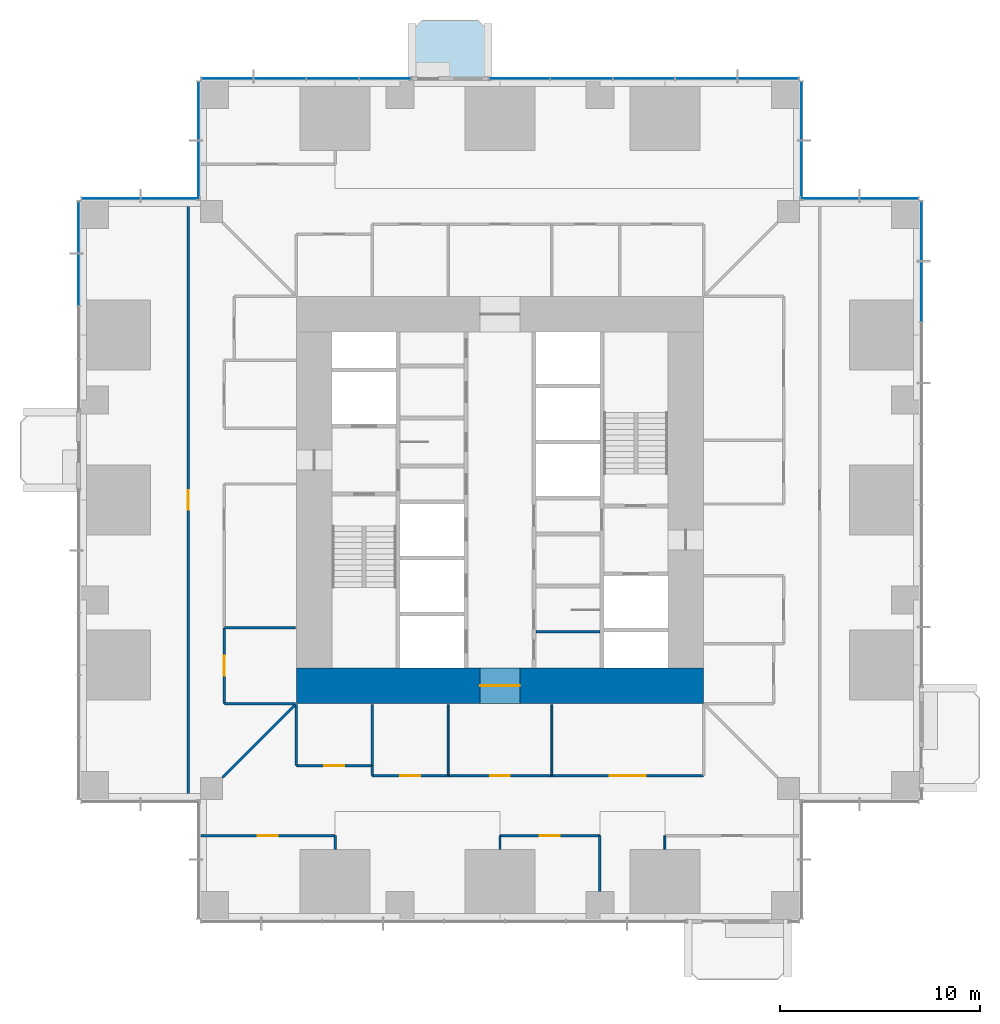
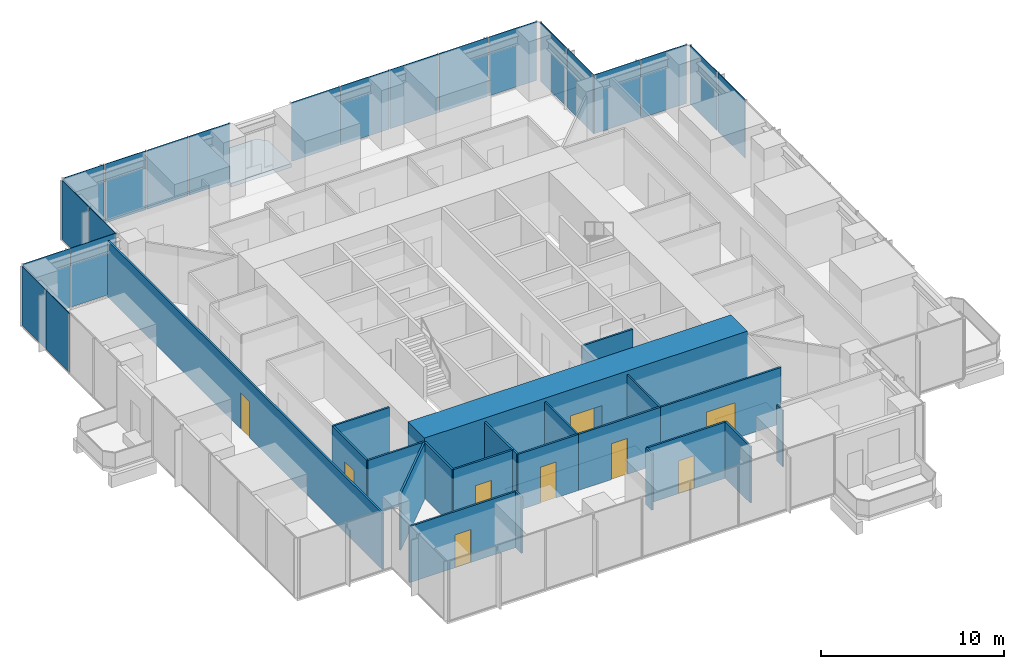
# One storey, part 9 of 15: 22 walls, 21 plates, 9 doors, 1 slab, 9 openings, 8 elements without a shape of their own.
"""IFC4 building model written with IfcOpenShell, lengths in metres."""

from ifc_helpers import new_model, si_unit, direction, frame, frame_2d, origin, origin_2d, place, context, subcontext, project, spatial, polyline, rectangle, outline, extrude, material, layer, layer_set, type_object, element, fill, aggregate, save


model = new_model("IFC4")

# Units and contexts
model_context = context("Model", 3, precision=1e-05, world=origin(), true_north=direction((0.0, 1.0)))
body_context = subcontext(model_context, "Body", "Model", "MODEL_VIEW")
ifc_project = project(units=[si_unit("LENGTHUNIT", "METRE"), si_unit("AREAUNIT", "SQUARE_METRE"), si_unit("VOLUMEUNIT", "CUBIC_METRE"), si_unit("PLANEANGLEUNIT", "RADIAN"), si_unit("MASSUNIT", "GRAM", prefix="KILO")], contexts=[model_context])

# Site, building, storey
site_placement = place(None, origin())
site = spatial("IfcSite", under=ifc_project, at=site_placement, CompositionType="ELEMENT")
building_placement = place(site_placement, origin())
building = spatial("IfcBuilding", under=site, at=building_placement, Name="Svetlomir Tower", CompositionType="ELEMENT")
storey_placement = place(building_placement, frame((0.0, 0.0, 26.5)))
storey = spatial("IfcBuildingStorey", under=building, at=storey_placement, Name="L05", CompositionType="ELEMENT", Elevation=26.5)

# Slab
ifc_material_1 = material(Name="Concrete C60/75", Category="concrete")
ifc_layer_1 = layer(ifc_material_1, 0.25)
ifc_layer_set_1 = layer_set([ifc_layer_1], Name="Concrete C60/75")
slab_type = type_object("IfcSlabType", Name="BALCONY SLAB 250", PredefinedType="FLOOR", material=ifc_layer_set_1)
slab_placement = place(storey_placement, frame((0.0, 0.0, -0.25)))
element("IfcSlab", 1, at=slab_placement, inside=storey, type_object=slab_type, Name="L05 N planted balcony", PredefinedType="FLOOR", context=body_context, shape_type="SweptSolid", body=[
    extrude(outline(polyline([(16.60009765625, 42.0), (20.39990234375, 42.0), (20.39990234375, 44.5), (19.89990234375, 45.0), (17.10009765625, 45.0), (16.60009765625, 44.5), (16.60009765625, 42.0)])), origin(), (0.0, 0.0, 1.0), 0.25),
])

# Curtain wall, plates
ifc_material_2 = material(Name="Bronze anodised aluminium curtain wall", Category="aluminium")
curtain_wall_type = type_object("IfcCurtainWallType", Name="CURTAIN WALL CW1 TOWER OFFICE", PredefinedType="NOTDEFINED", material=ifc_material_2)
curtain_wall_1_placement = place(storey_placement, origin())
curtain_wall_1 = element("IfcCurtainWall", 2, at=curtain_wall_1_placement, inside=storey, type_object=curtain_wall_type, Name="Curtain wall CW1 L05", PredefinedType="NOTDEFINED")
ifc_material_3 = material(Name="Tinted double glazed unit", Category="glass")
ifc_layer_2 = layer(ifc_material_3, 0.031982421875)
ifc_layer_set_2 = layer_set([ifc_layer_2], Name="Tinted double glazed unit")
plate_type = type_object("IfcPlateType", Name="CW1 GLAZED PANEL 32", PredefinedType="CURTAIN_PANEL", material=ifc_layer_set_2)
plate_1_placement = place(storey_placement, frame((42.10009765625, 31.425048828125, 0.06494140625), z_axis=(0.0, 0.0, 1.0), x_axis=(0.0, 1.0, 0.0)))
plate_1 = element("IfcPlate", 3, at=plate_1_placement, type_object=plate_type, Name="CW1 panel 7.1", PredefinedType="CURTAIN_PANEL", context=body_context, shape_type="SweptSolid", body=[
    extrude(rectangle(XDim=2.985107421875, YDim=0.031982421875, at=origin_2d()), origin(), (0.0, 0.0, 1.0), 3.93505859375),
])
plate_2_placement = place(storey_placement, frame((42.10009765625, 34.458740234375, 0.06494140625), z_axis=(0.0, 0.0, 1.0), x_axis=(0.0, 1.0, 0.0)))
plate_2 = element("IfcPlate", 4, at=plate_2_placement, type_object=plate_type, Name="CW1 panel 8.1", PredefinedType="CURTAIN_PANEL", context=body_context, shape_type="SweptSolid", body=[
    extrude(rectangle(XDim=2.952392578125, YDim=0.031982421875, at=origin_2d()), origin(), (0.0, 0.0, 1.0), 3.93505859375),
])
aggregate(curtain_wall_1, [plate_1, plate_2])

curtain_wall_2_placement = place(storey_placement, origin())
curtain_wall_2 = element("IfcCurtainWall", 5, at=curtain_wall_2_placement, inside=storey, type_object=curtain_wall_type, Name="Curtain wall CW1 L05", PredefinedType="NOTDEFINED")
plate_3_placement = place(storey_placement, frame((40.483642578125, 36.10009765625, 0.06494140625), z_axis=(0.0, 0.0, 1.0), x_axis=(-1.0, 0.0, 0.0)))
plate_3 = element("IfcPlate", 6, at=plate_3_placement, type_object=plate_type, Name="CW1 panel 1.1", PredefinedType="CURTAIN_PANEL", context=body_context, shape_type="SweptSolid", body=[
    extrude(rectangle(XDim=2.902587890625, YDim=0.031982421875, at=origin_2d()), origin(), (0.0, 0.0, 1.0), 3.93505859375),
])
plate_4_placement = place(storey_placement, frame((37.516357421875, 36.10009765625, 0.06494140625), z_axis=(0.0, 0.0, 1.0), x_axis=(-1.0, 0.0, 0.0)))
plate_4 = element("IfcPlate", 7, at=plate_4_placement, type_object=plate_type, Name="CW1 panel 2.1", PredefinedType="CURTAIN_PANEL", context=body_context, shape_type="SweptSolid", body=[
    extrude(rectangle(XDim=2.902587890625, YDim=0.031982421875, at=origin_2d()), origin(), (0.0, 0.0, 1.0), 3.93505859375),
])
aggregate(curtain_wall_2, [plate_3, plate_4])

curtain_wall_3_placement = place(storey_placement, origin())
curtain_wall_3 = element("IfcCurtainWall", 8, at=curtain_wall_3_placement, inside=storey, type_object=curtain_wall_type, Name="Curtain wall CW1 L05", PredefinedType="NOTDEFINED")
plate_5_placement = place(storey_placement, frame((36.10009765625, 37.516357421875, 0.06494140625), z_axis=(0.0, 0.0, 1.0), x_axis=(0.0, 1.0, 0.0)))
plate_5 = element("IfcPlate", 9, at=plate_5_placement, type_object=plate_type, Name="CW1 panel 1.1", PredefinedType="CURTAIN_PANEL", context=body_context, shape_type="SweptSolid", body=[
    extrude(rectangle(XDim=2.902587890625, YDim=0.031982421875, at=origin_2d()), origin(), (0.0, 0.0, 1.0), 3.93505859375),
])
plate_6_placement = place(storey_placement, frame((36.10009765625, 40.483642578125, 0.06494140625), z_axis=(0.0, 0.0, 1.0), x_axis=(0.0, 1.0, 0.0)))
plate_6 = element("IfcPlate", 10, at=plate_6_placement, type_object=plate_type, Name="CW1 panel 2.1", PredefinedType="CURTAIN_PANEL", context=body_context, shape_type="SweptSolid", body=[
    extrude(rectangle(XDim=2.902587890625, YDim=0.031982421875, at=origin_2d()), origin(), (0.0, 0.0, 1.0), 3.93505859375),
])
aggregate(curtain_wall_3, [plate_5, plate_6])

curtain_wall_4_placement = place(storey_placement, origin())
curtain_wall_4 = element("IfcCurtainWall", 11, at=curtain_wall_4_placement, inside=storey, type_object=curtain_wall_type, Name="Curtain wall CW1 L05", PredefinedType="NOTDEFINED")
plate_7_placement = place(storey_placement, frame((34.423828125, 42.10009765625, 0.06494140625), z_axis=(0.0, 0.0, 1.0), x_axis=(-1.0, 0.0, 0.0)))
plate_7 = element("IfcPlate", 12, at=plate_7_placement, type_object=plate_type, Name="CW1 panel 1.1", PredefinedType="CURTAIN_PANEL", context=body_context, shape_type="SweptSolid", body=[
    extrude(rectangle(XDim=3.0224609375, YDim=0.031982421875, at=origin_2d()), origin(), (0.0, 0.0, 1.0), 3.93505859375),
])
plate_8_placement = place(storey_placement, frame((31.320068359375, 42.10009765625, 0.06494140625), z_axis=(0.0, 0.0, 1.0), x_axis=(-1.0, 0.0, 0.0)))
plate_8 = element("IfcPlate", 13, at=plate_8_placement, type_object=plate_type, Name="CW1 panel 2.1", PredefinedType="CURTAIN_PANEL", context=body_context, shape_type="SweptSolid", body=[
    extrude(rectangle(XDim=3.054931640625, YDim=0.031982421875, at=origin_2d()), origin(), (0.0, 0.0, 1.0), 3.93505859375),
])
plate_9_placement = place(storey_placement, frame((28.199951171875, 42.10009765625, 0.06494140625), z_axis=(0.0, 0.0, 1.0), x_axis=(-1.0, 0.0, 0.0)))
plate_9 = element("IfcPlate", 14, at=plate_9_placement, type_object=plate_type, Name="CW1 panel 3.1", PredefinedType="CURTAIN_PANEL", context=body_context, shape_type="SweptSolid", body=[
    extrude(rectangle(XDim=3.054931640625, YDim=0.031982421875, at=origin_2d()), origin(), (0.0, 0.0, 1.0), 3.93505859375),
])
plate_10_placement = place(storey_placement, frame((25.080078125, 42.10009765625, 0.06494140625), z_axis=(0.0, 0.0, 1.0), x_axis=(-1.0, 0.0, 0.0)))
plate_10 = element("IfcPlate", 15, at=plate_10_placement, type_object=plate_type, Name="CW1 panel 4.1", PredefinedType="CURTAIN_PANEL", context=body_context, shape_type="SweptSolid", body=[
    extrude(rectangle(XDim=3.054931640625, YDim=0.031982421875, at=origin_2d()), origin(), (0.0, 0.0, 1.0), 3.93505859375),
])
plate_11_placement = place(storey_placement, frame((21.976318359375, 42.10009765625, 0.06494140625), z_axis=(0.0, 0.0, 1.0), x_axis=(-1.0, 0.0, 0.0)))
plate_11 = element("IfcPlate", 16, at=plate_11_placement, type_object=plate_type, Name="CW1 panel 5.1", PredefinedType="CURTAIN_PANEL", context=body_context, shape_type="SweptSolid", body=[
    extrude(rectangle(XDim=3.0224609375, YDim=0.031982421875, at=origin_2d()), origin(), (0.0, 0.0, 1.0), 3.93505859375),
])
aggregate(curtain_wall_4, [plate_7, plate_8, plate_9, plate_10, plate_11])

curtain_wall_5_placement = place(storey_placement, origin())
curtain_wall_5 = element("IfcCurtainWall", 17, at=curtain_wall_5_placement, inside=storey, type_object=curtain_wall_type, Name="Curtain wall CW1 L05", PredefinedType="NOTDEFINED")
plate_12_placement = place(storey_placement, frame((15.2587890625, 42.10009765625, 0.06494140625), z_axis=(0.0, 0.0, 1.0), x_axis=(-1.0, 0.0, 0.0)))
plate_12 = element("IfcPlate", 18, at=plate_12_placement, type_object=plate_type, Name="CW1 panel 1.1", PredefinedType="CURTAIN_PANEL", context=body_context, shape_type="SweptSolid", body=[
    extrude(rectangle(XDim=2.552490234375, YDim=0.031982421875, at=origin_2d()), origin(), (0.0, 0.0, 1.0), 3.93505859375),
])
plate_13_placement = place(storey_placement, frame((12.625, 42.10009765625, 0.06494140625), z_axis=(0.0, 0.0, 1.0), x_axis=(-1.0, 0.0, 0.0)))
plate_13 = element("IfcPlate", 19, at=plate_13_placement, type_object=plate_type, Name="CW1 panel 2.1", PredefinedType="CURTAIN_PANEL", context=body_context, shape_type="SweptSolid", body=[
    extrude(rectangle(XDim=2.5849609375, YDim=0.031982421875, at=origin_2d()), origin(), (0.0, 0.0, 1.0), 3.93505859375),
])
plate_14_placement = place(storey_placement, frame((9.97509765625, 42.10009765625, 0.06494140625), z_axis=(0.0, 0.0, 1.0), x_axis=(-1.0, 0.0, 0.0)))
plate_14 = element("IfcPlate", 20, at=plate_14_placement, type_object=plate_type, Name="CW1 panel 3.1", PredefinedType="CURTAIN_PANEL", context=body_context, shape_type="SweptSolid", body=[
    extrude(rectangle(XDim=2.5849609375, YDim=0.031982421875, at=origin_2d()), origin(), (0.0, 0.0, 1.0), 3.93505859375),
])
plate_15_placement = place(storey_placement, frame((7.34130859375, 42.10009765625, 0.06494140625), z_axis=(0.0, 0.0, 1.0), x_axis=(-1.0, 0.0, 0.0)))
plate_15 = element("IfcPlate", 21, at=plate_15_placement, type_object=plate_type, Name="CW1 panel 4.1", PredefinedType="CURTAIN_PANEL", context=body_context, shape_type="SweptSolid", body=[
    extrude(rectangle(XDim=2.552490234375, YDim=0.031982421875, at=origin_2d()), origin(), (0.0, 0.0, 1.0), 3.93505859375),
])
aggregate(curtain_wall_5, [plate_12, plate_13, plate_14, plate_15])

curtain_wall_6_placement = place(storey_placement, origin())
curtain_wall_6 = element("IfcCurtainWall", 22, at=curtain_wall_6_placement, inside=storey, type_object=curtain_wall_type, Name="Curtain wall CW1 L05", PredefinedType="NOTDEFINED")
plate_16_placement = place(storey_placement, frame((5.89990234375, 40.483642578125, 0.06494140625), z_axis=(0.0, 0.0, 1.0), x_axis=(0.0, -1.0, 0.0)))
plate_16 = element("IfcPlate", 23, at=plate_16_placement, type_object=plate_type, Name="CW1 panel 1.1", PredefinedType="CURTAIN_PANEL", context=body_context, shape_type="SweptSolid", body=[
    extrude(rectangle(XDim=2.902587890625, YDim=0.031982421875, at=origin_2d()), origin(), (0.0, 0.0, 1.0), 3.93505859375),
])
plate_17_placement = place(storey_placement, frame((5.89990234375, 37.516357421875, 0.06494140625), z_axis=(0.0, 0.0, 1.0), x_axis=(0.0, -1.0, 0.0)))
plate_17 = element("IfcPlate", 24, at=plate_17_placement, type_object=plate_type, Name="CW1 panel 2.1", PredefinedType="CURTAIN_PANEL", context=body_context, shape_type="SweptSolid", body=[
    extrude(rectangle(XDim=2.902587890625, YDim=0.031982421875, at=origin_2d()), origin(), (0.0, 0.0, 1.0), 3.93505859375),
])
aggregate(curtain_wall_6, [plate_16, plate_17])

curtain_wall_7_placement = place(storey_placement, origin())
curtain_wall_7 = element("IfcCurtainWall", 25, at=curtain_wall_7_placement, inside=storey, type_object=curtain_wall_type, Name="Curtain wall CW1 L05", PredefinedType="NOTDEFINED")
plate_18_placement = place(storey_placement, frame((4.483642578125, 36.10009765625, 0.06494140625), z_axis=(0.0, 0.0, 1.0), x_axis=(-1.0, 0.0, 0.0)))
plate_18 = element("IfcPlate", 26, at=plate_18_placement, type_object=plate_type, Name="CW1 panel 1.1", PredefinedType="CURTAIN_PANEL", context=body_context, shape_type="SweptSolid", body=[
    extrude(rectangle(XDim=2.902587890625, YDim=0.031982421875, at=origin_2d()), origin(), (0.0, 0.0, 1.0), 3.93505859375),
])
plate_19_placement = place(storey_placement, frame((1.516357421875, 36.10009765625, 0.06494140625), z_axis=(0.0, 0.0, 1.0), x_axis=(-1.0, 0.0, 0.0)))
plate_19 = element("IfcPlate", 27, at=plate_19_placement, type_object=plate_type, Name="CW1 panel 2.1", PredefinedType="CURTAIN_PANEL", context=body_context, shape_type="SweptSolid", body=[
    extrude(rectangle(XDim=2.902587890625, YDim=0.031982421875, at=origin_2d()), origin(), (0.0, 0.0, 1.0), 3.93505859375),
])
aggregate(curtain_wall_7, [plate_18, plate_19])

curtain_wall_8_placement = place(storey_placement, origin())
curtain_wall_8 = element("IfcCurtainWall", 28, at=curtain_wall_8_placement, inside=storey, type_object=curtain_wall_type, Name="Curtain wall CW1 L05", PredefinedType="NOTDEFINED")
plate_20_placement = place(storey_placement, frame((-0.10009765625, 34.65869140625, 0.06494140625), z_axis=(0.0, 0.0, 1.0), x_axis=(0.0, -1.0, 0.0)))
plate_20 = element("IfcPlate", 29, at=plate_20_placement, type_object=plate_type, Name="CW1 panel 1.1", PredefinedType="CURTAIN_PANEL", context=body_context, shape_type="SweptSolid", body=[
    extrude(rectangle(XDim=2.552490234375, YDim=0.031982421875, at=origin_2d()), origin(), (0.0, 0.0, 1.0), 3.93505859375),
])
plate_21_placement = place(storey_placement, frame((-0.10009765625, 32.02490234375, 0.06494140625), z_axis=(0.0, 0.0, 1.0), x_axis=(0.0, -1.0, 0.0)))
plate_21 = element("IfcPlate", 30, at=plate_21_placement, type_object=plate_type, Name="CW1 panel 2.1", PredefinedType="CURTAIN_PANEL", context=body_context, shape_type="SweptSolid", body=[
    extrude(rectangle(XDim=2.5849609375, YDim=0.031982421875, at=origin_2d()), origin(), (0.0, 0.0, 1.0), 3.93505859375),
])
aggregate(curtain_wall_8, [plate_20, plate_21])

# Wall, opening, door
ifc_material_4 = material(Name="Concrete C60/75", Category="concrete")
ifc_layer_3 = layer(ifc_material_4, 1.800048828125)
ifc_layer_set_3 = layer_set([ifc_layer_3], Name="Concrete C60/75")
wall_type_1 = type_object("IfcWallType", Name="CORE WALL 1800", PredefinedType="SHEAR", material=ifc_layer_set_3)
wall_1_placement = place(storey_placement, frame((10.800048828125, 11.699951171875, -0.050048828125), z_axis=(0.0, 0.0, 1.0), x_axis=(1.0, 0.0, 0.0)))
wall_1 = element("IfcWall", 31, at=wall_1_placement, inside=storey, type_object=wall_type_1, Name="Core wall south L05", PredefinedType="SHEAR", context=body_context, shape_type="SweptSolid", body=[
    extrude(rectangle(XDim=20.39990234375, YDim=1.800048828125, at=frame_2d((10.199951171875, 0.0))), origin(), (0.0, 0.0, 1.0), 4.0),
])
opening_1_placement = place(wall_1_placement, frame((9.199951171875, 0.0, 0.050048828125)))
opening_1 = element("IfcOpeningElement", 32, at=opening_1_placement, cuts=wall_1, Name="Opening DL", PredefinedType="OPENING", context=body_context, shape_type="SweptSolid", body=[
    extrude(rectangle(XDim=2.0, YDim=2.199951171875, at=frame_2d((1.0, 1.10009765625))), frame((0.0, 0.91015625, 0.0), z_axis=(0.0, -1.0, 0.0), x_axis=(1.0, 0.0, 0.0)), (0.0, 0.0, 1.0), 1.820068359375),
])
ifc_material_5 = material(Name="Steel fire door", Category="steel")
door_type_1 = type_object("IfcDoorType", Name="DOOR DL 2000x2200", OperationType="DOUBLE_DOOR_SINGLE_SWING", PredefinedType="DOOR", material=ifc_material_5)
door_1_placement = place(opening_1_placement, origin())
door_1 = element("IfcDoor", 33, at=door_1_placement, inside=storey, type_object=door_type_1, Name="Lift lobby south door L05", OperationType="DOUBLE_DOOR_SINGLE_SWING", OverallHeight=2.199951171875, OverallWidth=2.0, PredefinedType="DOOR", context=body_context, shape_type="SweptSolid", body=[
    extrude(rectangle(XDim=2.0, YDim=2.199951171875, at=frame_2d((1.0, 1.10009765625))), frame((0.0, 0.02490234375, 0.0), z_axis=(0.0, -1.0, 0.0), x_axis=(1.0, 0.0, 0.0)), (0.0, 0.0, 1.0), 0.050048828125),
])
fill(opening_1, door_1)

# Walls
ifc_material_6 = material(Name="Framed laminated glass partition", Category="glass")
ifc_layer_4 = layer(ifc_material_6, 0.10009765625)
ifc_layer_set_4 = layer_set([ifc_layer_4], Name="Framed laminated glass partition")
wall_type_2 = type_object("IfcWallType", Name="GLAZED PARTITION 100", PredefinedType="PARTITIONING", material=ifc_layer_set_4)
for number, where, z_axis, x_axis, name in (
    (34, (18.39990234375, 7.199951171875, 0.0), (0.0, 0.0, 1.0), (0.0, 1.0, 0.0), "Glazed partition L05"),
    (35, (23.60009765625, 7.199951171875, 0.0), (0.0, 0.0, 1.0), (0.0, 1.0, 0.0), "Glazed partition L05"),
):
    element("IfcWall", number, at=place(storey_placement, frame(where, z_axis=z_axis, x_axis=x_axis)), inside=storey, type_object=wall_type_2, Name=name, PredefinedType="PARTITIONING", context=body_context, shape_type="SweptSolid", body=[
        extrude(rectangle(XDim=3.550048828125, YDim=0.10009765625, at=frame_2d((1.77490234375, 0.0))), origin(), (0.0, 0.0, 1.0), 3.75),
    ])
wall_2_placement = place(storey_placement, frame((29.25, 3.510009765625, 0.0), z_axis=(0.0, 0.0, 1.0), x_axis=(0.0, 1.0, 0.0)))
element("IfcWall", 36, at=wall_2_placement, inside=storey, type_object=wall_type_2, Name="Glazed partition L05", PredefinedType="PARTITIONING", context=body_context, shape_type="SweptSolid", body=[
    extrude(rectangle(XDim=0.68994140625, YDim=0.10009765625, at=frame_2d((0.344970703125, 0.0))), origin(), (0.0, 0.0, 1.0), 3.75),
])
ifc_material_7 = material(Name="Gypsum board on steel studs", Category="steel")
ifc_layer_5 = layer(ifc_material_7, 0.1201171875)
ifc_layer_set_5 = layer_set([ifc_layer_5], Name="Gypsum board on steel studs")
wall_type_3 = type_object("IfcWallType", Name="PARTITION 120", PredefinedType="PARTITIONING", material=ifc_layer_set_5)
wall_3_placement = place(storey_placement, frame((22.800048828125, 14.39990234375, 0.0), z_axis=(0.0, 0.0, 1.0), x_axis=(1.0, 0.0, 0.0)))
element("IfcWall", 37, at=wall_3_placement, inside=storey, type_object=wall_type_3, Name="Floor store partition L05", PredefinedType="PARTITIONING", context=body_context, shape_type="SweptSolid", body=[
    extrude(rectangle(XDim=3.199951171875, YDim=0.1201171875, at=frame_2d((1.60009765625, 0.0))), origin(), (0.0, 0.0, 1.0), 3.75),
])

# Wall, opening, door
wall_4_placement = place(storey_placement, frame((5.39990234375, 6.0, 0.0), z_axis=(0.0, 0.0, 1.0), x_axis=(0.0, 1.0, 0.0)))
wall_4 = element("IfcWall", 38, at=wall_4_placement, inside=storey, type_object=wall_type_3, Name="Partition L05", PredefinedType="PARTITIONING", context=body_context, shape_type="SweptSolid", body=[
    extrude(rectangle(XDim=30.0, YDim=0.1201171875, at=frame_2d((15.0, 0.0))), origin(), (0.0, 0.0, 1.0), 3.75),
])
opening_2_placement = place(wall_4_placement, frame((14.5, 0.0, 0.0)))
opening_2 = element("IfcOpeningElement", 39, at=opening_2_placement, cuts=wall_4, Name="Opening DG", PredefinedType="OPENING", context=body_context, shape_type="SweptSolid", body=[
    extrude(rectangle(XDim=1.0, YDim=2.39990234375, at=frame_2d((0.5, 1.199951171875))), frame((0.0, 0.070068359375, 0.0), z_axis=(0.0, -1.0, 0.0), x_axis=(1.0, 0.0, 0.0)), (0.0, 0.0, 1.0), 0.14013671875),
])
ifc_material_8 = material(Name="Framed laminated glass door", Category="glass")
door_type_2 = type_object("IfcDoorType", Name="GLAZED DOOR DG 1000x2400", OperationType="SINGLE_SWING_LEFT", PredefinedType="DOOR", material=ifc_material_8)
door_2_placement = place(opening_2_placement, origin())
door_2 = element("IfcDoor", 40, at=door_2_placement, inside=storey, type_object=door_type_2, Name="Ring corridor 3 door 1 L05", OperationType="SINGLE_SWING_RIGHT", OverallHeight=2.39990234375, OverallWidth=1.0, PredefinedType="DOOR", context=body_context, shape_type="SweptSolid", body=[
    extrude(rectangle(XDim=1.0, YDim=2.39990234375, at=frame_2d((0.5, 1.199951171875))), frame((0.0, 0.02490234375, 0.0), z_axis=(0.0, -1.0, 0.0), x_axis=(1.0, 0.0, 0.0)), (0.0, 0.0, 1.0), 0.050048828125),
])
fill(opening_2, door_2)

wall_5_placement = place(storey_placement, frame((6.0, 4.199951171875, 0.0), z_axis=(0.0, 0.0, 1.0), x_axis=(1.0, 0.0, 0.0)))
wall_5 = element("IfcWall", 41, at=wall_5_placement, inside=storey, type_object=wall_type_3, Name="Partition L05", PredefinedType="PARTITIONING", context=body_context, shape_type="SweptSolid", body=[
    extrude(rectangle(XDim=6.75, YDim=0.1201171875, at=frame_2d((3.375, 0.0))), origin(), (0.0, 0.0, 1.0), 3.75),
])
opening_3_placement = place(wall_5_placement, frame((2.875, 0.0, 0.0)))
opening_3 = element("IfcOpeningElement", 42, at=opening_3_placement, cuts=wall_5, Name="Opening DR", PredefinedType="OPENING", context=body_context, shape_type="SweptSolid", body=[
    extrude(rectangle(XDim=1.0, YDim=2.199951171875, at=frame_2d((0.5, 1.10009765625))), frame((0.0, 0.070068359375, 0.0), z_axis=(0.0, -1.0, 0.0), x_axis=(1.0, 0.0, 0.0)), (0.0, 0.0, 1.0), 0.14013671875),
])
ifc_material_9 = material(Name="Timber door, glazed side light", Category="wood")
door_type_3 = type_object("IfcDoorType", Name="DOOR DR 1000x2200", OperationType="SINGLE_SWING_LEFT", PredefinedType="DOOR", material=ifc_material_9)
door_3_placement = place(opening_3_placement, origin())
door_3 = element("IfcDoor", 43, at=door_3_placement, inside=storey, type_object=door_type_3, Name="Accounts receivable manager office door L05", OperationType="SINGLE_SWING_RIGHT", OverallHeight=2.199951171875, OverallWidth=1.0, PredefinedType="DOOR", context=body_context, shape_type="SweptSolid", body=[
    extrude(rectangle(XDim=1.0, YDim=2.199951171875, at=frame_2d((0.5, 1.10009765625))), frame((0.0, 0.02490234375, 0.0), z_axis=(0.0, -1.0, 0.0), x_axis=(1.0, 0.0, 0.0)), (0.0, 0.0, 1.0), 0.050048828125),
])
fill(opening_3, door_3)

# Wall
wall_6_placement = place(storey_placement, frame((7.110107421875, 7.110107421875, 0.0), z_axis=(0.0, 0.0, 1.0), x_axis=(0.707106781187, 0.707106781187, 0.0)))
element("IfcWall", 44, at=wall_6_placement, inside=storey, type_object=wall_type_3, Name="Partition L05", PredefinedType="PARTITIONING", context=body_context, shape_type="SweptSolid", body=[
    extrude(rectangle(XDim=5.168212890625, YDim=0.1201171875, at=frame_2d((2.583984375, 0.0))), origin(), (0.0, 0.0, 1.0), 3.75),
])

# Wall, opening, door
wall_7_placement = place(storey_placement, frame((7.199951171875, 10.800048828125, 0.0), z_axis=(0.0, 0.0, 1.0), x_axis=(0.0, 1.0, 0.0)))
wall_7 = element("IfcWall", 45, at=wall_7_placement, inside=storey, type_object=wall_type_3, Name="Partition L05", PredefinedType="PARTITIONING", context=body_context, shape_type="SweptSolid", body=[
    extrude(rectangle(XDim=3.800048828125, YDim=0.1201171875, at=frame_2d((1.89990234375, 0.0))), origin(), (0.0, 0.0, 1.0), 3.75),
])
opening_4_placement = place(wall_7_placement, frame((1.39990234375, 0.0, 0.0)))
opening_4 = element("IfcOpeningElement", 46, at=opening_4_placement, cuts=wall_7, Name="Opening DR", PredefinedType="OPENING", context=body_context, shape_type="SweptSolid", body=[
    extrude(rectangle(XDim=1.0, YDim=2.199951171875, at=frame_2d((0.5, 1.10009765625))), frame((0.0, 0.070068359375, 0.0), z_axis=(0.0, -1.0, 0.0), x_axis=(1.0, 0.0, 0.0)), (0.0, 0.0, 1.0), 0.14013671875),
])
door_4_placement = place(opening_4_placement, origin())
door_4 = element("IfcDoor", 47, at=door_4_placement, inside=storey, type_object=door_type_3, Name="Payroll office door L05", OperationType="SINGLE_SWING_RIGHT", OverallHeight=2.199951171875, OverallWidth=1.0, PredefinedType="DOOR", context=body_context, shape_type="SweptSolid", body=[
    extrude(rectangle(XDim=1.0, YDim=2.199951171875, at=frame_2d((0.5, 1.10009765625))), frame((0.0, 0.02490234375, 0.0), z_axis=(0.0, -1.0, 0.0), x_axis=(1.0, 0.0, 0.0)), (0.0, 0.0, 1.0), 0.050048828125),
])
fill(opening_4, door_4)

# Walls
for number, where, z_axis, x_axis, name in (
    (48, (7.199951171875, 10.800048828125, 0.0), (0.0, 0.0, 1.0), (1.0, 0.0, 0.0), "Partition L05"),
    (49, (7.199951171875, 14.60009765625, 0.0), (0.0, 0.0, 1.0), (1.0, 0.0, 0.0), "Partition L05"),
):
    element("IfcWall", number, at=place(storey_placement, frame(where, z_axis=z_axis, x_axis=x_axis)), inside=storey, type_object=wall_type_3, Name=name, PredefinedType="PARTITIONING", context=body_context, shape_type="SweptSolid", body=[
        extrude(rectangle(XDim=3.550048828125, YDim=0.1201171875, at=frame_2d((1.77490234375, 0.0))), origin(), (0.0, 0.0, 1.0), 3.75),
    ])
wall_8_placement = place(storey_placement, frame((10.800048828125, 7.699951171875, 0.0), z_axis=(0.0, 0.0, 1.0), x_axis=(0.0, 1.0, 0.0)))
element("IfcWall", 50, at=wall_8_placement, inside=storey, type_object=wall_type_3, Name="Partition L05", PredefinedType="PARTITIONING", context=body_context, shape_type="SweptSolid", body=[
    extrude(rectangle(XDim=3.050048828125, YDim=0.1201171875, at=frame_2d((1.52490234375, 0.0))), origin(), (0.0, 0.0, 1.0), 3.75),
])

# Wall, opening, door
wall_9_placement = place(storey_placement, frame((10.800048828125, 7.699951171875, 0.0), z_axis=(0.0, 0.0, 1.0), x_axis=(1.0, 0.0, 0.0)))
wall_9 = element("IfcWall", 51, at=wall_9_placement, inside=storey, type_object=wall_type_3, Name="Partition L05", PredefinedType="PARTITIONING", context=body_context, shape_type="SweptSolid", body=[
    extrude(rectangle(XDim=3.800048828125, YDim=0.1201171875, at=frame_2d((1.89990234375, 0.0))), origin(), (0.0, 0.0, 1.0), 3.75),
])
opening_5_placement = place(wall_9_placement, frame((1.39990234375, 0.0, 0.0)))
opening_5 = element("IfcOpeningElement", 52, at=opening_5_placement, cuts=wall_9, Name="Opening DR", PredefinedType="OPENING", context=body_context, shape_type="SweptSolid", body=[
    extrude(rectangle(XDim=1.0, YDim=2.199951171875, at=frame_2d((0.5, 1.10009765625))), frame((0.0, 0.070068359375, 0.0), z_axis=(0.0, -1.0, 0.0), x_axis=(1.0, 0.0, 0.0)), (0.0, 0.0, 1.0), 0.14013671875),
])
door_5_placement = place(opening_5_placement, origin())
door_5 = element("IfcDoor", 53, at=door_5_placement, inside=storey, type_object=door_type_3, Name="Finance records room door L05", OperationType="SINGLE_SWING_LEFT", OverallHeight=2.199951171875, OverallWidth=1.0, PredefinedType="DOOR", context=body_context, shape_type="SweptSolid", body=[
    extrude(rectangle(XDim=1.0, YDim=2.199951171875, at=frame_2d((0.5, 1.10009765625))), frame((0.0, 0.02490234375, 0.0), z_axis=(0.0, -1.0, 0.0), x_axis=(1.0, 0.0, 0.0)), (0.0, 0.0, 1.0), 0.050048828125),
])
fill(opening_5, door_5)

# Walls
wall_10_placement = place(storey_placement, frame((12.75, 3.510009765625, 0.0), z_axis=(0.0, 0.0, 1.0), x_axis=(0.0, 1.0, 0.0)))
element("IfcWall", 54, at=wall_10_placement, inside=storey, type_object=wall_type_3, Name="Partition L05", PredefinedType="PARTITIONING", context=body_context, shape_type="SweptSolid", body=[
    extrude(rectangle(XDim=0.68994140625, YDim=0.1201171875, at=frame_2d((0.344970703125, 0.0))), origin(), (0.0, 0.0, 1.0), 3.75),
])
wall_11_placement = place(storey_placement, frame((14.60009765625, 7.199951171875, 0.0), z_axis=(0.0, 0.0, 1.0), x_axis=(0.0, 1.0, 0.0)))
element("IfcWall", 55, at=wall_11_placement, inside=storey, type_object=wall_type_3, Name="Partition L05", PredefinedType="PARTITIONING", context=body_context, shape_type="SweptSolid", body=[
    extrude(rectangle(XDim=0.5, YDim=0.1201171875, at=frame_2d((0.25, 0.0))), origin(), (0.0, 0.0, 1.0), 3.75),
])

# Wall, opening, door
wall_12_placement = place(storey_placement, frame((14.60009765625, 7.199951171875, 0.0), z_axis=(0.0, 0.0, 1.0), x_axis=(1.0, 0.0, 0.0)))
wall_12 = element("IfcWall", 56, at=wall_12_placement, inside=storey, type_object=wall_type_3, Name="Partition L05", PredefinedType="PARTITIONING", context=body_context, shape_type="SweptSolid", body=[
    extrude(rectangle(XDim=3.7998046875, YDim=0.1201171875, at=frame_2d((1.89990234375, 0.0))), origin(), (0.0, 0.0, 1.0), 3.75),
])
opening_6_placement = place(wall_12_placement, frame((1.39990234375, 0.0, 0.0)))
opening_6 = element("IfcOpeningElement", 57, at=opening_6_placement, cuts=wall_12, Name="Opening DG", PredefinedType="OPENING", context=body_context, shape_type="SweptSolid", body=[
    extrude(rectangle(XDim=1.0, YDim=2.39990234375, at=frame_2d((0.5, 1.199951171875))), frame((0.0, 0.070068359375, 0.0), z_axis=(0.0, -1.0, 0.0), x_axis=(1.0, 0.0, 0.0)), (0.0, 0.0, 1.0), 0.14013671875),
])
door_6_placement = place(opening_6_placement, origin())
door_6 = element("IfcDoor", 58, at=door_6_placement, inside=storey, type_object=door_type_2, Name="Meeting room, 6 seats door L05", OperationType="SINGLE_SWING_RIGHT", OverallHeight=2.39990234375, OverallWidth=1.0, PredefinedType="DOOR", context=body_context, shape_type="SweptSolid", body=[
    extrude(rectangle(XDim=1.0, YDim=2.39990234375, at=frame_2d((0.5, 1.199951171875))), frame((0.0, 0.02490234375, 0.0), z_axis=(0.0, -1.0, 0.0), x_axis=(1.0, 0.0, 0.0)), (0.0, 0.0, 1.0), 0.050048828125),
])
fill(opening_6, door_6)

# Wall
wall_13_placement = place(storey_placement, frame((14.60009765625, 7.699951171875, 0.0), z_axis=(0.0, 0.0, 1.0), x_axis=(0.0, 1.0, 0.0)))
element("IfcWall", 59, at=wall_13_placement, inside=storey, type_object=wall_type_3, Name="Partition L05", PredefinedType="PARTITIONING", context=body_context, shape_type="SweptSolid", body=[
    extrude(rectangle(XDim=3.050048828125, YDim=0.1201171875, at=frame_2d((1.52490234375, 0.0))), origin(), (0.0, 0.0, 1.0), 3.75),
])

# Wall, opening, door
wall_14_placement = place(storey_placement, frame((18.39990234375, 7.199951171875, 0.0), z_axis=(0.0, 0.0, 1.0), x_axis=(1.0, 0.0, 0.0)))
wall_14 = element("IfcWall", 60, at=wall_14_placement, inside=storey, type_object=wall_type_3, Name="Partition L05", PredefinedType="PARTITIONING", context=body_context, shape_type="SweptSolid", body=[
    extrude(rectangle(XDim=5.2001953125, YDim=0.1201171875, at=frame_2d((2.60009765625, 0.0))), origin(), (0.0, 0.0, 1.0), 3.75),
])
opening_7_placement = place(wall_14_placement, frame((2.10009765625, 0.0, 0.0)))
opening_7 = element("IfcOpeningElement", 61, at=opening_7_placement, cuts=wall_14, Name="Opening DG", PredefinedType="OPENING", context=body_context, shape_type="SweptSolid", body=[
    extrude(rectangle(XDim=1.0, YDim=2.39990234375, at=frame_2d((0.5, 1.199951171875))), frame((0.0, 0.070068359375, 0.0), z_axis=(0.0, -1.0, 0.0), x_axis=(1.0, 0.0, 0.0)), (0.0, 0.0, 1.0), 0.14013671875),
])
door_7_placement = place(opening_7_placement, origin())
door_7 = element("IfcDoor", 62, at=door_7_placement, inside=storey, type_object=door_type_2, Name="Ring corridor 1 door 3 L05", OperationType="SINGLE_SWING_LEFT", OverallHeight=2.39990234375, OverallWidth=1.0, PredefinedType="DOOR", context=body_context, shape_type="SweptSolid", body=[
    extrude(rectangle(XDim=1.0, YDim=2.39990234375, at=frame_2d((0.5, 1.199951171875))), frame((0.0, 0.02490234375, 0.0), z_axis=(0.0, -1.0, 0.0), x_axis=(1.0, 0.0, 0.0)), (0.0, 0.0, 1.0), 0.050048828125),
])
fill(opening_7, door_7)

# Wall
wall_15_placement = place(storey_placement, frame((21.0, 3.510009765625, 0.0), z_axis=(0.0, 0.0, 1.0), x_axis=(0.0, 1.0, 0.0)))
element("IfcWall", 63, at=wall_15_placement, inside=storey, type_object=wall_type_3, Name="Partition L05", PredefinedType="PARTITIONING", context=body_context, shape_type="SweptSolid", body=[
    extrude(rectangle(XDim=0.68994140625, YDim=0.1201171875, at=frame_2d((0.344970703125, 0.0))), origin(), (0.0, 0.0, 1.0), 3.75),
])

# Wall, opening, door
wall_16_placement = place(storey_placement, frame((21.0, 4.199951171875, 0.0), z_axis=(0.0, 0.0, 1.0), x_axis=(1.0, 0.0, 0.0)))
wall_16 = element("IfcWall", 64, at=wall_16_placement, inside=storey, type_object=wall_type_3, Name="Partition L05", PredefinedType="PARTITIONING", context=body_context, shape_type="SweptSolid", body=[
    extrude(rectangle(XDim=5.0, YDim=0.1201171875, at=frame_2d((2.5, 0.0))), origin(), (0.0, 0.0, 1.0), 3.75),
])
opening_8_placement = place(wall_16_placement, frame((2.0, 0.0, 0.0)))
opening_8 = element("IfcOpeningElement", 65, at=opening_8_placement, cuts=wall_16, Name="Opening DR", PredefinedType="OPENING", context=body_context, shape_type="SweptSolid", body=[
    extrude(rectangle(XDim=1.0, YDim=2.199951171875, at=frame_2d((0.5, 1.10009765625))), frame((0.0, 0.070068359375, 0.0), z_axis=(0.0, -1.0, 0.0), x_axis=(1.0, 0.0, 0.0)), (0.0, 0.0, 1.0), 0.14013671875),
])
door_8_placement = place(opening_8_placement, origin())
door_8 = element("IfcDoor", 66, at=door_8_placement, inside=storey, type_object=door_type_3, Name="Finance controller office door L05", OperationType="SINGLE_SWING_LEFT", OverallHeight=2.199951171875, OverallWidth=1.0, PredefinedType="DOOR", context=body_context, shape_type="SweptSolid", body=[
    extrude(rectangle(XDim=1.0, YDim=2.199951171875, at=frame_2d((0.5, 1.10009765625))), frame((0.0, 0.02490234375, 0.0), z_axis=(0.0, -1.0, 0.0), x_axis=(1.0, 0.0, 0.0)), (0.0, 0.0, 1.0), 0.050048828125),
])
fill(opening_8, door_8)

wall_17_placement = place(storey_placement, frame((23.60009765625, 7.199951171875, 0.0), z_axis=(0.0, 0.0, 1.0), x_axis=(1.0, 0.0, 0.0)))
wall_17 = element("IfcWall", 67, at=wall_17_placement, inside=storey, type_object=wall_type_3, Name="Partition L05", PredefinedType="PARTITIONING", context=body_context, shape_type="SweptSolid", body=[
    extrude(rectangle(XDim=7.599853515625, YDim=0.1201171875, at=frame_2d((3.7998046875, 0.0))), origin(), (0.0, 0.0, 1.0), 3.75),
])
opening_9_placement = place(wall_17_placement, frame((2.89990234375, 0.0, 0.0)))
opening_9 = element("IfcOpeningElement", 68, at=opening_9_placement, cuts=wall_17, Name="Opening DD", PredefinedType="OPENING", context=body_context, shape_type="SweptSolid", body=[
    extrude(rectangle(XDim=1.800048828125, YDim=2.39990234375, at=frame_2d((0.89990234375, 1.199951171875))), frame((0.0, 0.070068359375, 0.0), z_axis=(0.0, -1.0, 0.0), x_axis=(1.0, 0.0, 0.0)), (0.0, 0.0, 1.0), 0.14013671875),
])
ifc_material_10 = material(Name="Timber door", Category="wood")
door_type_4 = type_object("IfcDoorType", Name="DOOR DD 1800x2400", OperationType="DOUBLE_DOOR_SINGLE_SWING", PredefinedType="DOOR", material=ifc_material_10)
door_9_placement = place(opening_9_placement, origin())
door_9 = element("IfcDoor", 69, at=door_9_placement, inside=storey, type_object=door_type_4, Name="Team room, 14 seats door L05", OperationType="DOUBLE_DOOR_SINGLE_SWING", OverallHeight=2.39990234375, OverallWidth=1.800048828125, PredefinedType="DOOR", context=body_context, shape_type="SweptSolid", body=[
    extrude(rectangle(XDim=1.800048828125, YDim=2.39990234375, at=frame_2d((0.89990234375, 1.199951171875))), frame((0.0, 0.02490234375, 0.0), z_axis=(0.0, -1.0, 0.0), x_axis=(1.0, 0.0, 0.0)), (0.0, 0.0, 1.0), 0.050048828125),
])
fill(opening_9, door_9)

# Wall
wall_18_placement = place(storey_placement, frame((26.0, 1.409912109375, 0.0), z_axis=(0.0, 0.0, 1.0), x_axis=(0.0, 1.0, 0.0)))
element("IfcWall", 70, at=wall_18_placement, inside=storey, type_object=wall_type_3, Name="Partition L05", PredefinedType="PARTITIONING", context=body_context, shape_type="SweptSolid", body=[
    extrude(rectangle(XDim=2.7900390625, YDim=0.1201171875, at=frame_2d((1.39501953125, 0.0))), origin(), (0.0, 0.0, 1.0), 3.75),
])

save(model, "model.ifc")
